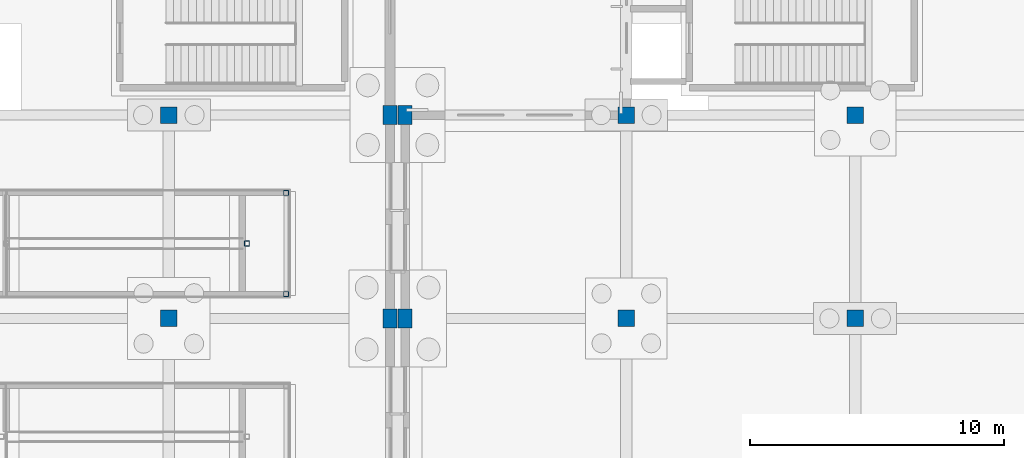
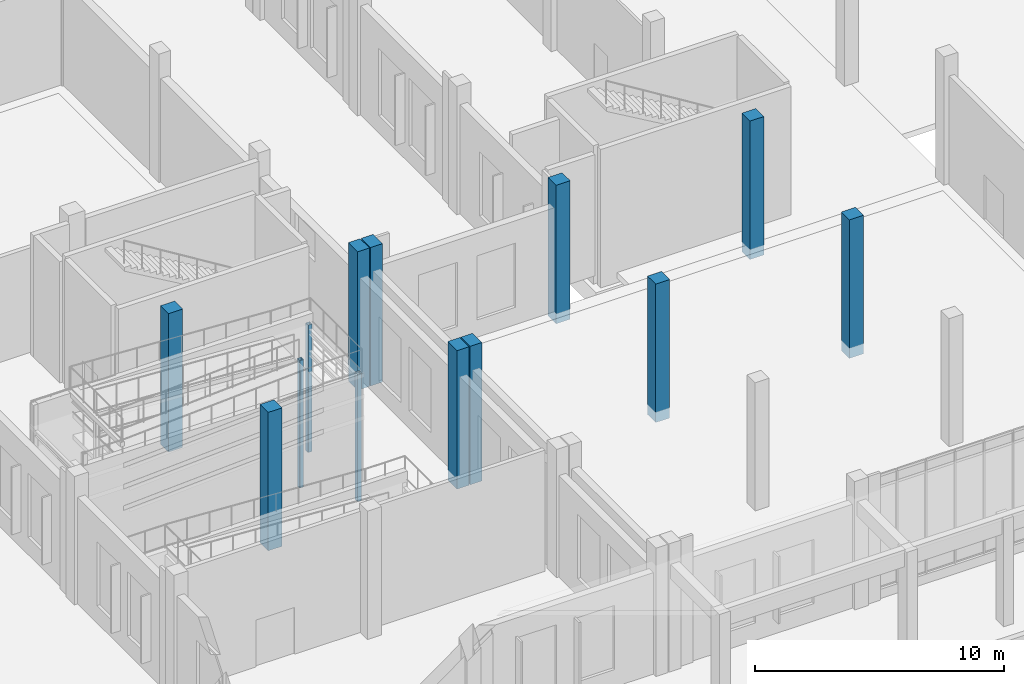
# One storey, part 28 of 99: 13 columns.
"""IFC4 building model written with IfcOpenShell, lengths in metres."""

from ifc_helpers import new_model, si_unit, direction, frame, origin, origin_2d, place, context, subcontext, project, spatial, rectangle, hollow_rectangle, extrude, material, material_profile, profile_set, type_object, element, save


model = new_model("IFC4")

# Units and contexts
model_context = context("Model", 3, precision=1e-05, world=origin(), true_north=direction((0.0, 1.0)))
body_context = subcontext(model_context, "Body", "Model", "MODEL_VIEW")
ifc_project = project(units=[si_unit("LENGTHUNIT", "METRE"), si_unit("AREAUNIT", "SQUARE_METRE"), si_unit("VOLUMEUNIT", "CUBIC_METRE"), si_unit("PLANEANGLEUNIT", "RADIAN"), si_unit("MASSUNIT", "GRAM", prefix="KILO")], contexts=[model_context])

# Site, building, storey
site_placement = place(None, origin())
site = spatial("IfcSite", under=ifc_project, at=site_placement, CompositionType="ELEMENT")
building_placement = place(site_placement, origin())
building = spatial("IfcBuilding", under=site, at=building_placement, Name="Zacnel Wholesale Market", CompositionType="ELEMENT")
storey_placement = place(building_placement, origin())
storey = spatial("IfcBuildingStorey", under=building, at=storey_placement, Name="L01", CompositionType="ELEMENT", Elevation=0.0)

# Columns
ifc_material_1 = material(Name="Precast concrete C45/55", Category="concrete")
ifc_material_profile_1 = material_profile(ifc_material_1, rectangle(XDim=0.550048828125, YDim=0.75, at=origin_2d()), Name="PC 550x750")
ifc_profile_set_1 = profile_set([ifc_material_profile_1], Name="Precast concrete C45/55")
column_type_1 = type_object("IfcColumnType", Name="COL-MJ550X750", PredefinedType="COLUMN", material=ifc_profile_set_1)
for number, where, z_axis, x_axis, name in (
    (1, (71.699951171875, 16.0, -0.5), (0.0, 0.0, 1.0), (1.0, 0.0, 0.0), "Precast column L01-0129"),
    (2, (71.699951171875, 24.0, -0.5), (0.0, 0.0, 1.0), (1.0, 0.0, 0.0), "Precast column L01-0130"),
    (3, (72.300048828125, 16.0, -0.5), (0.0, 0.0, 1.0), (1.0, 0.0, 0.0), "Precast column L01-0147"),
    (4, (72.300048828125, 24.0, -0.5), (0.0, 0.0, 1.0), (1.0, 0.0, 0.0), "Precast column L01-0148"),
):
    element("IfcColumn", number, at=place(storey_placement, frame(where, z_axis=z_axis, x_axis=x_axis)), inside=storey, type_object=column_type_1, Name=name, PredefinedType="COLUMN", context=body_context, shape_type="SweptSolid", body=[
        extrude(rectangle(XDim=0.550048828125, YDim=0.75, at=origin_2d()), origin(), (0.0, 0.0, 1.0), 6.800048828125),
    ])
ifc_material_2 = material(Name="Precast concrete C45/55", Category="concrete")
ifc_material_profile_2 = material_profile(ifc_material_2, rectangle(XDim=0.64990234375, YDim=0.64990234375, at=origin_2d()), Name="PC 650x650")
ifc_profile_set_2 = profile_set([ifc_material_profile_2], Name="Precast concrete C45/55")
column_type_2 = type_object("IfcColumnType", Name="COL-PC650", PredefinedType="COLUMN", material=ifc_profile_set_2)
for number, where, z_axis, x_axis, name in (
    (5, (63.0, 16.0, -0.5), (0.0, 0.0, 1.0), (1.0, 0.0, 0.0), "Precast column L01-0111"),
    (6, (63.0, 24.0, -0.5), (0.0, 0.0, 1.0), (1.0, 0.0, 0.0), "Precast column L01-0112"),
    (7, (81.0, 16.0, -0.5), (0.0, 0.0, 1.0), (1.0, 0.0, 0.0), "Precast column L01-0154"),
    (8, (81.0, 24.0, -0.5), (0.0, 0.0, 1.0), (1.0, 0.0, 0.0), "Precast column L01-0155"),
    (9, (90.0, 16.0, -0.5), (0.0, 0.0, 1.0), (1.0, 0.0, 0.0), "Precast column L01-0166"),
    (10, (90.0, 24.0, -0.5), (0.0, 0.0, 1.0), (1.0, 0.0, 0.0), "Precast column L01-0167"),
):
    element("IfcColumn", number, at=place(storey_placement, frame(where, z_axis=z_axis, x_axis=x_axis)), inside=storey, type_object=column_type_2, Name=name, PredefinedType="COLUMN", context=body_context, shape_type="SweptSolid", body=[
        extrude(rectangle(XDim=0.64990234375, YDim=0.64990234375, at=origin_2d()), origin(), (0.0, 0.0, 1.0), 6.800048828125),
    ])
ifc_material_3 = material(Name="Steel S355", Category="steel")
ifc_material_profile_3 = material_profile(ifc_material_3, hollow_rectangle(XDim=0.199951171875, YDim=0.199951171875, WallThickness=0.010009765625, InnerFilletRadius=0.010009765625, OuterFilletRadius=0.02001953125, at=origin_2d()), Name="HSS 200x200x10")
ifc_profile_set_3 = profile_set([ifc_material_profile_3], Name="Steel S355")
column_type_3 = type_object("IfcColumnType", Name="COL-STL-HSS200", PredefinedType="COLUMN", material=ifc_profile_set_3)
for number, where, z_axis, x_axis, name in (
    (11, (67.612060546875, 16.9599609375, -0.5), (0.0, 0.0, 1.0), (1.0, 0.0, 0.0), "Accessible ramp RP-03 (RMP-PROM-1B) support column 4"),
    (12, (66.072021484375, 18.949951171875, -0.5), (0.0, 0.0, 1.0), (1.0, 0.0, 0.0), "Accessible ramp RP-03 (RMP-PROM-1B) support column 5"),
    (13, (67.612060546875, 20.93994140625, -0.5), (0.0, 0.0, 1.0), (1.0, 0.0, 0.0), "Accessible ramp RP-03 (RMP-PROM-1B) support column 6"),
):
    element("IfcColumn", number, at=place(storey_placement, frame(where, z_axis=z_axis, x_axis=x_axis)), inside=storey, type_object=column_type_3, Name=name, PredefinedType="COLUMN", context=body_context, shape_type="SweptSolid", body=[
        extrude(hollow_rectangle(XDim=0.199951171875, YDim=0.199951171875, WallThickness=0.010009765625, InnerFilletRadius=0.010009765625, OuterFilletRadius=0.02001953125, at=origin_2d()), origin(), (0.0, 0.0, 1.0), 6.2548828125),
    ])

save(model, "model.ifc")
